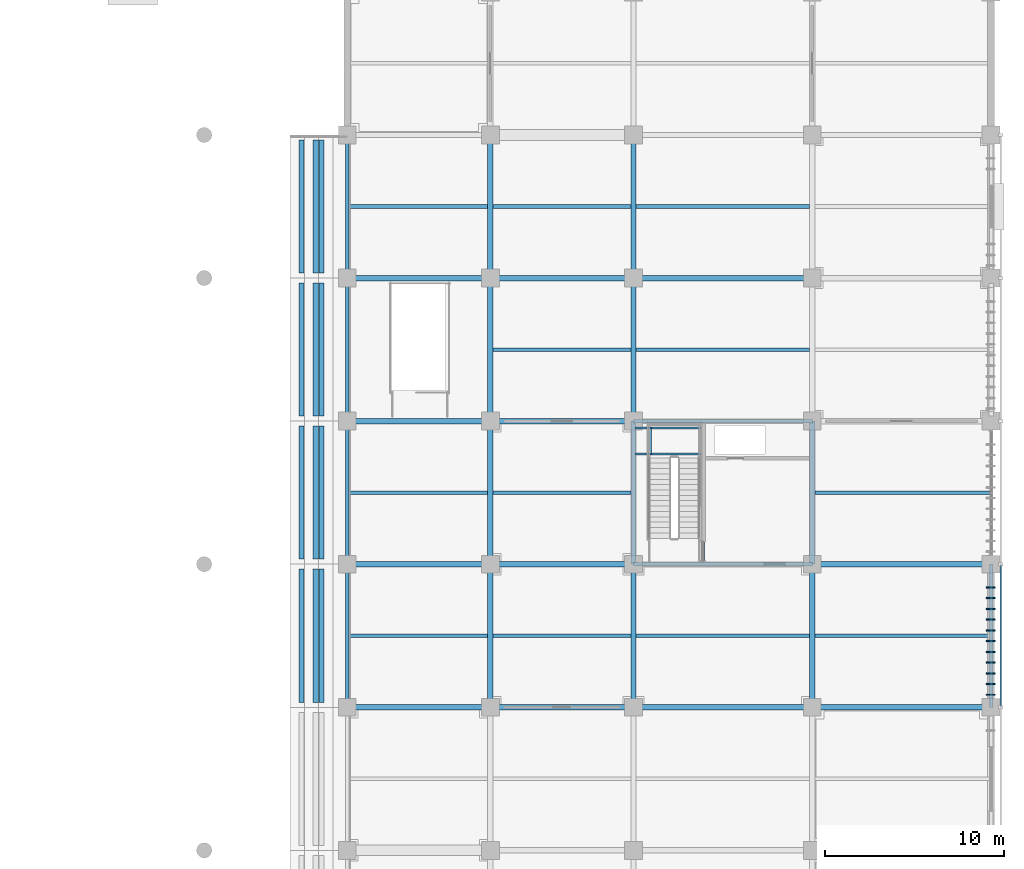
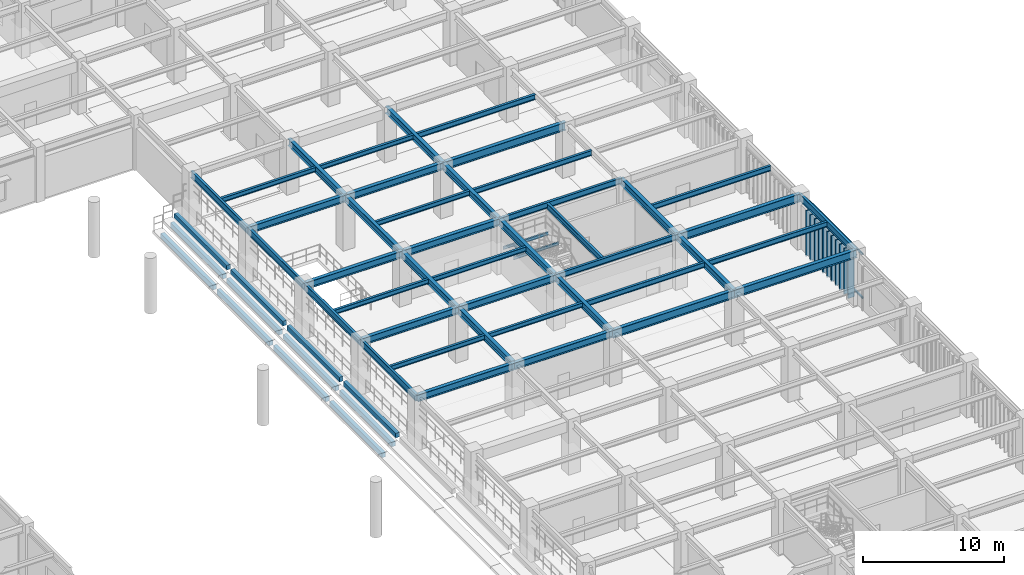
# One storey, part 39 of 117: 57 beams, 13 members.
"""IFC4 building model written with IfcOpenShell, lengths in metres."""

import ifcopenshell
import ifcopenshell.guid

model = None  # the IFC model being written
_history = None  # IfcOwnerHistory: only IFC2X3 demands one
_inside = {}  # id of a spatial element -> (the spatial element, [elements in it])
_under = {}  # id of a project, library or spatial element -> (it, [spatial elements below it])
_declared = {}  # id of a project -> (the project, [libraries it declares])
_typed = {}  # id of a type object -> (the type object, [elements of that type])
_made_of = {}  # id of a material, layer set ... -> (it, [elements and type objects made of it])


def new_model(schema):
    """Start an empty IFC model of exactly this schema.

    Asked for "IFC4X3", IfcOpenShell would pick the latest addendum, in which some entities
    have other attributes; the version numbers below select the first issue.
    IFC2X3 requires an IfcOwnerHistory on every rooted entity: one is made here for all.
    """
    global model, _history
    if schema == "IFC4X3":
        model = ifcopenshell.file(schema_version=(4, 3, 0, 0))
    else:
        model = ifcopenshell.file(schema=schema)
    _inside.clear()
    _under.clear()
    _declared.clear()
    _typed.clear()
    _made_of.clear()
    _history = None
    if model.schema == "IFC2X3":
        org = make("IfcOrganization", Name="unknown")
        user = make(
            "IfcPersonAndOrganization",
            ThePerson=make("IfcPerson", FamilyName="unknown"),
            TheOrganization=org,
        )
        app = make(
            "IfcApplication",
            ApplicationDeveloper=org,
            Version="unknown",
            ApplicationFullName="unknown",
            ApplicationIdentifier="unknown",
        )
        _history = make(
            "IfcOwnerHistory",
            OwningUser=user,
            OwningApplication=app,
            ChangeAction="ADDED",
            CreationDate=0,
        )
    return model


def make(cls, **values):
    """One entity of the class cls with the attributes given. An attribute that is None is left unset."""
    return model.create_entity(
        cls, **{name: value for name, value in values.items() if value is not None}
    )


def rooted(cls, **values):
    """An entity with a GlobalId (a new one), such as an element, a storey or a relation."""
    return make(cls, GlobalId=ifcopenshell.guid.new(), OwnerHistory=_history, **values)


def si_unit(unit_type, name, prefix=None):
    """IfcSIUnit, for example si_unit("LENGTHUNIT", "METRE", prefix="MILLI")."""
    return make("IfcSIUnit", UnitType=unit_type, Prefix=prefix, Name=name)


def assignment(units):
    """IfcUnitAssignment: the units of a project."""
    return None if units is None else make("IfcUnitAssignment", Units=units)


def point(xyz):
    """IfcCartesianPoint."""
    return None if xyz is None else make("IfcCartesianPoint", Coordinates=xyz)


def direction(xyz):
    """IfcDirection."""
    return None if xyz is None else make("IfcDirection", DirectionRatios=xyz)


def frame(location, z_axis=None, x_axis=None):
    """IfcAxis2Placement3D, a coordinate frame: its origin and axes. An axis left out is left unset."""
    return make(
        "IfcAxis2Placement3D",
        Location=point(location),
        Axis=direction(z_axis),
        RefDirection=direction(x_axis),
    )


def frame_2d(location, x_axis=None):
    """IfcAxis2Placement2D, a coordinate frame in the plane: its origin and x axis."""
    return make(
        "IfcAxis2Placement2D", Location=point(location), RefDirection=direction(x_axis)
    )


def origin():
    """The frame at (0, 0, 0) with its axes left unset."""
    return frame((0.0, 0.0, 0.0))


def origin_2d():
    """The frame at (0, 0) in the plane with its x axis left unset."""
    return frame_2d((0.0, 0.0))


def place(relative_to, where):
    """IfcLocalPlacement: puts the frame where relative to a parent placement (None: the world)."""
    return make(
        "IfcLocalPlacement", PlacementRelTo=relative_to, RelativePlacement=where
    )


def context(
    kind, dimensions, precision=None, world=None, true_north=None, identifier=None
):
    """IfcGeometricRepresentationContext, for example the 3D "Model" context."""
    return make(
        "IfcGeometricRepresentationContext",
        ContextIdentifier=identifier,
        ContextType=kind,
        CoordinateSpaceDimension=dimensions,
        Precision=precision,
        WorldCoordinateSystem=world,
        TrueNorth=true_north,
    )


def subcontext(parent, identifier, kind, view, scale=None):
    """IfcGeometricRepresentationSubContext, for example "Body" below "Model"."""
    return make(
        "IfcGeometricRepresentationSubContext",
        ContextIdentifier=identifier,
        ContextType=kind,
        ParentContext=parent,
        TargetScale=scale,
        TargetView=view,
    )


def project(units=None, contexts=None):
    """IfcProject with its units and contexts."""
    return rooted(
        "IfcProject",
        Name="project",
        RepresentationContexts=contexts,
        UnitsInContext=assignment(units),
    )


def spatial(cls, under=None, at=None, **own):
    """A site, building, storey or space (cls), placed at a placement, below another one or the project."""
    s = rooted(cls, ObjectPlacement=at, **own)
    if under is not None:
        _under.setdefault(under.id(), (under, []))[1].append(s)
    return s


def profile(cls, at=None, kind="AREA", **sizes):
    """A parametric profile (cls). Its sizes go by their IFC names, for example OverallWidth=200.0."""
    return make(cls, ProfileType=kind, Position=at, **sizes)


def rectangle(**sizes):
    """IfcRectangleProfileDef."""
    return profile("IfcRectangleProfileDef", **sizes)


def hollow_rectangle(**sizes):
    """IfcRectangleHollowProfileDef."""
    return profile("IfcRectangleHollowProfileDef", **sizes)


def i_section(**sizes):
    """IfcIShapeProfileDef."""
    return profile("IfcIShapeProfileDef", **sizes)


def extrude(swept, where, along, depth):
    """IfcExtrudedAreaSolid: the profile swept, set in the frame where, extruded along a direction by depth."""
    return make(
        "IfcExtrudedAreaSolid",
        SweptArea=swept,
        Position=where,
        ExtrudedDirection=direction(along),
        Depth=depth,
    )


def shape(context_of_items, identifier, shape_type, items):
    """IfcShapeRepresentation: the items that make up one representation, for example the "Body"."""
    return make(
        "IfcShapeRepresentation",
        ContextOfItems=context_of_items,
        RepresentationIdentifier=identifier,
        RepresentationType=shape_type,
        Items=items,
    )


def material(Name=None, Category=None):
    """IfcMaterial."""
    return make("IfcMaterial", Name=Name, Category=Category)


def material_profile(
    of_material, cross_section, Name=None, Category=None, Priority=None
):
    """IfcMaterialProfile: a cross section and its material."""
    return make(
        "IfcMaterialProfile",
        Name=Name,
        Material=of_material,
        Profile=cross_section,
        Priority=Priority,
        Category=Category,
    )


def profile_set(profiles, Name=None, composite=None):
    """IfcMaterialProfileSet."""
    return make(
        "IfcMaterialProfileSet",
        Name=Name,
        MaterialProfiles=profiles,
        CompositeProfile=composite,
    )


def made_of(thing, what):
    """Note that an element or type object is made of a material, layer set ...; save() writes the relation."""
    if what is not None:
        _made_of.setdefault(what.id(), (what, []))[1].append(thing)
    return thing


def type_object(cls, material=None, **own):
    """A type object (cls), such as IfcWallType, which elements share."""
    return made_of(rooted(cls, **own), material)


def element(
    cls,
    number,
    at=None,
    inside=None,
    cuts=None,
    type_object=None,
    material=None,
    context=None,
    identifier="Body",
    shape_type=None,
    held_by="IfcProductDefinitionShape",
    body=None,
    shapes=None,
    **own,
):
    """One element of the class cls, such as IfcWall. Its Tag is "e" and its number.

    at: its placement. inside: the storey or other place that contains it. cuts: it is an
    opening in that element (IfcRelVoidsElement). A single representation is given by context,
    identifier, shape_type and body (its items); several are given by shapes. held_by: the class
    of the entity that holds the representations. save() writes the other relations.
    """
    e = rooted(cls, Tag="e%d" % number, ObjectPlacement=at, **own)
    if body is not None:
        shapes = [shape(context, identifier, shape_type, body)]
    if shapes is not None:
        e.Representation = make(held_by, Representations=shapes)
    if inside is not None:
        _inside.setdefault(inside.id(), (inside, []))[1].append(e)
    if cuts is not None:
        rooted(
            "IfcRelVoidsElement", RelatingBuildingElement=cuts, RelatedOpeningElement=e
        )
    if type_object is not None:
        _typed.setdefault(type_object.id(), (type_object, []))[1].append(e)
    return made_of(e, material)


def aggregate(whole, parts):
    """IfcRelAggregates: a whole, such as a stair, and the parts it consists of."""
    return rooted("IfcRelAggregates", RelatingObject=whole, RelatedObjects=parts)


def save(model, path):
    """Write the relations noted so far, then the file.

    IfcRelAggregates (storeys below a building ...), IfcRelContainedInSpatialStructure (elements
    in a storey), IfcRelDefinesByType, IfcRelAssociatesMaterial and IfcRelDeclares: one each for
    every whole, place, type object, material and project.
    """
    for whole, parts in _under.values():
        aggregate(whole, parts)
    for where, things in _inside.values():
        rooted(
            "IfcRelContainedInSpatialStructure",
            RelatedElements=things,
            RelatingStructure=where,
        )
    for kind, things in _typed.values():
        rooted("IfcRelDefinesByType", RelatedObjects=things, RelatingType=kind)
    for what, things in _made_of.values():
        rooted("IfcRelAssociatesMaterial", RelatedObjects=things, RelatingMaterial=what)
    for by, libraries in _declared.values():
        rooted("IfcRelDeclares", RelatingContext=by, RelatedDefinitions=libraries)
    model.write(path)


model = new_model("IFC4")

# Units and contexts
model_context = context("Model", 3, precision=1e-05, world=origin(), true_north=direction((0.0, 1.0)))
body_context = subcontext(model_context, "Body", "Model", "MODEL_VIEW")
ifc_project = project(units=[si_unit("LENGTHUNIT", "METRE"), si_unit("AREAUNIT", "SQUARE_METRE"), si_unit("VOLUMEUNIT", "CUBIC_METRE"), si_unit("PLANEANGLEUNIT", "RADIAN"), si_unit("MASSUNIT", "GRAM", prefix="KILO")], contexts=[model_context])

# Site, building, storey
site_placement = place(None, origin())
site = spatial("IfcSite", under=ifc_project, at=site_placement, CompositionType="ELEMENT")
building_placement = place(site_placement, origin())
building = spatial("IfcBuilding", under=site, at=building_placement, Name="Haebicheon Civic Stadium", CompositionType="ELEMENT")
storey_placement = place(building_placement, frame((0.0, 0.0, 4.800048828125)))
storey = spatial("IfcBuildingStorey", under=building, at=storey_placement, Name="L02", CompositionType="ELEMENT", Elevation=4.800048828125)

# Beams
ifc_material_1 = material(Name="Precast concrete C40/50", Category="concrete")
ifc_material_profile_1 = material_profile(ifc_material_1, rectangle(XDim=0.300048828125, YDim=0.39990234375, at=origin_2d()), Name="PC-LN-300x400")
ifc_profile_set_1 = profile_set([ifc_material_profile_1], Name="Precast concrete C40/50")
beam_type_1 = type_object("IfcBeamType", Name="BM-LN-300x400", PredefinedType="LINTEL", material=ifc_profile_set_1)
for number, where, z_axis, x_axis, name in (
    (1, (197.43994140625, 96.280029296875, -0.0400390625), (0.0, 1.0, 0.0), (-1.0, 0.0, 0.0), "TIER-C-L precast step carrier beam 6.7"),
    (2, (198.239990234375, 96.280029296875, 0.626953125), (0.0, 1.0, 0.0), (-1.0, 0.0, 0.0), "TIER-C-L precast step carrier beam 6.8"),
    (3, (198.56005859375, 96.280029296875, 1.29296875), (0.0, 1.0, 0.0), (-1.0, 0.0, 0.0), "TIER-C-L precast step carrier beam 6.9"),
    (4, (197.43994140625, 104.280029296875, -0.0400390625), (0.0, 1.0, 0.0), (-1.0, 0.0, 0.0), "TIER-C-L precast step carrier beam 7.7"),
    (5, (198.239990234375, 104.280029296875, 0.626953125), (0.0, 1.0, 0.0), (-1.0, 0.0, 0.0), "TIER-C-L precast step carrier beam 7.8"),
    (6, (198.56005859375, 104.280029296875, 1.29296875), (0.0, 1.0, 0.0), (-1.0, 0.0, 0.0), "TIER-C-L precast step carrier beam 7.9"),
    (7, (197.43994140625, 112.280029296875, -0.0400390625), (0.0, 1.0, 0.0), (-1.0, 0.0, 0.0), "TIER-C-L precast step carrier beam 8.7"),
    (8, (198.239990234375, 112.280029296875, 0.626953125), (0.0, 1.0, 0.0), (-1.0, 0.0, 0.0), "TIER-C-L precast step carrier beam 8.8"),
    (9, (198.56005859375, 112.280029296875, 1.29296875), (0.0, 1.0, 0.0), (-1.0, 0.0, 0.0), "TIER-C-L precast step carrier beam 8.9"),
    (10, (197.43994140625, 120.280029296875, -0.0400390625), (0.0, 1.0, 0.0), (-1.0, 0.0, 0.0), "TIER-C-L precast step carrier beam 9.7"),
    (11, (198.239990234375, 120.280029296875, 0.626953125), (0.0, 1.0, 0.0), (-1.0, 0.0, 0.0), "TIER-C-L precast step carrier beam 9.8"),
    (12, (198.56005859375, 120.280029296875, 1.29296875), (0.0, 1.0, 0.0), (-1.0, 0.0, 0.0), "TIER-C-L precast step carrier beam 9.9"),
):
    element("IfcBeam", number, at=place(storey_placement, frame(where, z_axis=z_axis, x_axis=x_axis)), inside=storey, type_object=beam_type_1, material=ifc_profile_set_1, Name=name, PredefinedType="LINTEL", context=body_context, shape_type="SweptSolid", body=[
        extrude(rectangle(XDim=0.300048828125, YDim=0.39990234375, at=origin_2d()), origin(), (0.0, 0.0, 1.0), 7.43994140625),
    ])
ifc_material_2 = material(Name="Steel SM355 (S355)", Category="steel")
ifc_material_profile_2 = material_profile(ifc_material_2, i_section(OverallWidth=0.199951171875, OverallDepth=0.5, WebThickness=0.010009765625, FlangeThickness=0.01611328125, at=origin_2d()), Name="H-500x200x10x16")
ifc_profile_set_2 = profile_set([ifc_material_profile_2], Name="Steel SM355 (S355)")
beam_type_2 = type_object("IfcBeamType", Name="BM-ST-H500", PredefinedType="BEAM", material=ifc_profile_set_2)
for number, where, z_axis, x_axis, name in (
    (13, (216.0, 104.0, 4.27001953125), (1.0, 0.0, 0.0), (0.0, 1.0, 0.0), "L02 beam P/28-29"),
    (14, (216.0, 112.0, 4.27001953125), (1.0, 0.0, 0.0), (0.0, 1.0, 0.0), "L02 beam Q/28-29"),
):
    element("IfcBeam", number, at=place(storey_placement, frame(where, z_axis=z_axis, x_axis=x_axis)), inside=storey, type_object=beam_type_2, material=ifc_profile_set_2, Name=name, PredefinedType="BEAM", context=body_context, shape_type="SweptSolid", body=[
        extrude(i_section(OverallWidth=0.199951171875, OverallDepth=0.5, WebThickness=0.010009765625, FlangeThickness=0.01611328125, at=origin_2d()), origin(), (0.0, 0.0, 1.0), 10.0),
    ])
beam_1_placement = place(storey_placement, frame((219.8798828125, 104.10009765625, 4.27001953125), z_axis=(0.0, 1.0, 0.0), x_axis=(-1.0, 0.0, 0.0)))
element("IfcBeam", 15, at=beam_1_placement, inside=storey, type_object=beam_type_2, material=ifc_profile_set_2, Name="L02 KC-13 core dividing wall support beam", PredefinedType="BEAM", context=body_context, shape_type="SweptSolid", body=[
    extrude(i_section(OverallWidth=0.199951171875, OverallDepth=0.5, WebThickness=0.010009765625, FlangeThickness=0.01611328125, at=origin_2d()), origin(), (0.0, 0.0, 1.0), 7.7998046875),
])
ifc_material_3 = material(Name="Steel SM355 (S355)", Category="steel")
ifc_material_profile_3 = material_profile(ifc_material_3, i_section(OverallWidth=0.300048828125, OverallDepth=0.60009765625, WebThickness=0.011962890625, FlangeThickness=0.02001953125, at=origin_2d()), Name="H-600x300x12x20")
ifc_profile_set_3 = profile_set([ifc_material_profile_3], Name="Steel SM355 (S355)")
beam_type_3 = type_object("IfcBeamType", Name="BM-ST-H600A", PredefinedType="BEAM", material=ifc_profile_set_3)
for number, where, z_axis, x_axis, name in (
    (16, (208.0, 96.0, 4.219970703125), (0.0, 1.0, 0.0), (-1.0, 0.0, 0.0), "L02 girder 27/N-P"),
    (17, (208.0, 104.0, 4.219970703125), (0.0, 1.0, 0.0), (-1.0, 0.0, 0.0), "L02 girder 27/P-Q"),
    (18, (208.0, 112.0, 4.219970703125), (0.0, 1.0, 0.0), (-1.0, 0.0, 0.0), "L02 girder 27/Q-R"),
    (19, (208.0, 120.0, 4.219970703125), (0.0, 1.0, 0.0), (-1.0, 0.0, 0.0), "L02 girder 27/R-S"),
    (20, (216.0, 96.0, 4.219970703125), (0.0, 1.0, 0.0), (-1.0, 0.0, 0.0), "L02 girder 28/N-P"),
    (21, (216.0, 104.0, 4.219970703125), (0.0, 1.0, 0.0), (-1.0, 0.0, 0.0), "L02 girder 28/P-Q"),
    (22, (216.0, 112.0, 4.219970703125), (0.0, 1.0, 0.0), (-1.0, 0.0, 0.0), "L02 girder 28/Q-R"),
    (23, (216.0, 120.0, 4.219970703125), (0.0, 1.0, 0.0), (-1.0, 0.0, 0.0), "L02 girder 28/R-S"),
    (24, (226.0, 96.0, 4.219970703125), (0.0, 1.0, 0.0), (-1.0, 0.0, 0.0), "L02 girder 29/N-P"),
    (25, (226.0, 104.0, 4.219970703125), (0.0, 1.0, 0.0), (-1.0, 0.0, 0.0), "L02 girder 29/P-Q"),
    (26, (200.0, 96.0, 4.219970703125), (1.0, 0.0, 0.0), (0.0, 1.0, 0.0), "L02 beam N/26-27"),
    (27, (200.0, 104.0, 4.219970703125), (1.0, 0.0, 0.0), (0.0, 1.0, 0.0), "L02 beam P/26-27"),
    (28, (200.0, 112.0, 4.219970703125), (1.0, 0.0, 0.0), (0.0, 1.0, 0.0), "L02 beam Q/26-27"),
    (29, (200.0, 120.0, 4.219970703125), (1.0, 0.0, 0.0), (0.0, 1.0, 0.0), "L02 beam R/26-27"),
    (30, (208.0, 96.0, 4.219970703125), (1.0, 0.0, 0.0), (0.0, 1.0, 0.0), "L02 beam N/27-28"),
    (31, (208.0, 104.0, 4.219970703125), (1.0, 0.0, 0.0), (0.0, 1.0, 0.0), "L02 beam P/27-28"),
    (32, (208.0, 112.0, 4.219970703125), (1.0, 0.0, 0.0), (0.0, 1.0, 0.0), "L02 beam Q/27-28"),
    (33, (208.0, 120.0, 4.219970703125), (1.0, 0.0, 0.0), (0.0, 1.0, 0.0), "L02 beam R/27-28"),
):
    element("IfcBeam", number, at=place(storey_placement, frame(where, z_axis=z_axis, x_axis=x_axis)), inside=storey, type_object=beam_type_3, material=ifc_profile_set_3, Name=name, PredefinedType="BEAM", context=body_context, shape_type="SweptSolid", body=[
        extrude(i_section(OverallWidth=0.300048828125, OverallDepth=0.60009765625, WebThickness=0.011962890625, FlangeThickness=0.02001953125, at=origin_2d()), origin(), (0.0, 0.0, 1.0), 8.0),
    ])
ifc_material_4 = material(Name="Steel SM490", Category="steel")
ifc_material_profile_4 = material_profile(ifc_material_4, i_section(OverallWidth=0.300048828125, OverallDepth=0.699951171875, WebThickness=0.012939453125, FlangeThickness=0.02392578125, at=origin_2d()), Name="H-700x300x13x24")
ifc_profile_set_4 = profile_set([ifc_material_profile_4], Name="Steel SM490")
beam_type_4 = type_object("IfcBeamType", Name="BM-ST-H700", PredefinedType="BEAM", material=ifc_profile_set_4)
for number, where, z_axis, x_axis, name in (
    (34, (216.0, 96.0, 4.169921875), (1.0, 0.0, 0.0), (0.0, 1.0, 0.0), "L02 beam N/28-29"),
    (35, (216.0, 120.0, 4.169921875), (1.0, 0.0, 0.0), (0.0, 1.0, 0.0), "L02 beam R/28-29"),
    (36, (226.0, 96.0, 4.169921875), (1.0, 0.0, 0.0), (0.0, 1.0, 0.0), "L02 beam N/29-30"),
    (37, (226.0, 104.0, 4.169921875), (1.0, 0.0, 0.0), (0.0, 1.0, 0.0), "L02 beam P/29-30"),
):
    element("IfcBeam", number, at=place(storey_placement, frame(where, z_axis=z_axis, x_axis=x_axis)), inside=storey, type_object=beam_type_4, material=ifc_profile_set_4, Name=name, PredefinedType="BEAM", context=body_context, shape_type="SweptSolid", body=[
        extrude(i_section(OverallWidth=0.300048828125, OverallDepth=0.699951171875, WebThickness=0.012939453125, FlangeThickness=0.02392578125, at=origin_2d()), origin(), (0.0, 0.0, 1.0), 10.0),
    ])
ifc_material_5 = material(Name="Steel SM355 (S355)", Category="steel")
ifc_material_profile_5 = material_profile(ifc_material_5, i_section(OverallWidth=0.125, OverallDepth=0.25, WebThickness=0.006103515625, FlangeThickness=0.009033203125, at=origin_2d()), Name="H-250x125x6x9")
ifc_profile_set_5 = profile_set([ifc_material_profile_5], Name="Steel SM355 (S355)")
beam_type_5 = type_object("IfcBeamType", Name="JST-ST-H250", PredefinedType="JOIST", material=ifc_profile_set_5)
for number, where, z_axis, x_axis, name in (
    (38, (216.080078125, 110.169921875, 2.072021484375), (1.0, 0.0, 0.0), (0.0, 1.0, 0.0), "KC-13 L02 stair half-landing front trimmer beam"),
    (39, (216.080078125, 111.6201171875, 2.072021484375), (1.0, 0.0, 0.0), (0.0, 1.0, 0.0), "KC-13 L02 stair half-landing rear trimmer beam"),
):
    element("IfcBeam", number, at=place(storey_placement, frame(where, z_axis=z_axis, x_axis=x_axis)), inside=storey, type_object=beam_type_5, material=ifc_profile_set_5, Name=name, PredefinedType="JOIST", context=body_context, shape_type="SweptSolid", body=[
        extrude(i_section(OverallWidth=0.125, OverallDepth=0.25, WebThickness=0.006103515625, FlangeThickness=0.009033203125, at=origin_2d()), origin(), (0.0, 0.0, 1.0), 3.719970703125),
    ])
beam_2_placement = place(storey_placement, frame((216.9599609375, 110.169921875, 2.072021484375), z_axis=(0.0, 1.0, 0.0), x_axis=(-1.0, 0.0, 0.0)))
element("IfcBeam", 40, at=beam_2_placement, inside=storey, type_object=beam_type_5, material=ifc_profile_set_5, Name="KC-13 L02 stair half-landing transverse tie beam", PredefinedType="JOIST", context=body_context, shape_type="SweptSolid", body=[
    extrude(i_section(OverallWidth=0.125, OverallDepth=0.25, WebThickness=0.006103515625, FlangeThickness=0.009033203125, at=origin_2d()), origin(), (0.0, 0.0, 1.0), 1.4501953125),
])
ifc_material_6 = material(Name="Steel SM355 (S355)", Category="steel")
ifc_material_profile_6 = material_profile(ifc_material_6, i_section(OverallWidth=0.199951171875, OverallDepth=0.39990234375, WebThickness=0.008056640625, FlangeThickness=0.012939453125, at=origin_2d()), Name="H-400x200x8x13")
ifc_profile_set_6 = profile_set([ifc_material_profile_6], Name="Steel SM355 (S355)")
beam_type_6 = type_object("IfcBeamType", Name="JST-ST-H400", PredefinedType="JOIST", material=ifc_profile_set_6)
for number, where, z_axis, x_axis, name in (
    (41, (200.10009765625, 100.0, 4.320068359375), (1.0, 0.0, 0.0), (0.0, 1.0, 0.0), "L02 secondary joist 25-12"),
    (42, (200.10009765625, 108.0, 4.320068359375), (1.0, 0.0, 0.0), (0.0, 1.0, 0.0), "L02 secondary joist 25-13"),
    (43, (200.10009765625, 124.0, 4.320068359375), (1.0, 0.0, 0.0), (0.0, 1.0, 0.0), "L02 secondary joist 25-15"),
):
    element("IfcBeam", number, at=place(storey_placement, frame(where, z_axis=z_axis, x_axis=x_axis)), inside=storey, type_object=beam_type_6, material=ifc_profile_set_6, Name=name, PredefinedType="JOIST", context=body_context, shape_type="SweptSolid", body=[
        extrude(i_section(OverallWidth=0.199951171875, OverallDepth=0.39990234375, WebThickness=0.008056640625, FlangeThickness=0.012939453125, at=origin_2d()), origin(), (0.0, 0.0, 1.0), 7.75),
    ])
for number, where, z_axis, x_axis, name in (
    (44, (208.14990234375, 100.0, 4.320068359375), (1.0, 0.0, 0.0), (0.0, 1.0, 0.0), "L02 secondary joist 26-12"),
    (45, (208.14990234375, 108.0, 4.320068359375), (1.0, 0.0, 0.0), (0.0, 1.0, 0.0), "L02 secondary joist 26-13"),
    (46, (208.14990234375, 116.0, 4.320068359375), (1.0, 0.0, 0.0), (0.0, 1.0, 0.0), "L02 secondary joist 26-14"),
    (47, (208.14990234375, 124.0, 4.320068359375), (1.0, 0.0, 0.0), (0.0, 1.0, 0.0), "L02 secondary joist 26-15"),
):
    element("IfcBeam", number, at=place(storey_placement, frame(where, z_axis=z_axis, x_axis=x_axis)), inside=storey, type_object=beam_type_6, material=ifc_profile_set_6, Name=name, PredefinedType="JOIST", context=body_context, shape_type="SweptSolid", body=[
        extrude(i_section(OverallWidth=0.199951171875, OverallDepth=0.39990234375, WebThickness=0.008056640625, FlangeThickness=0.012939453125, at=origin_2d()), origin(), (0.0, 0.0, 1.0), 7.7001953125),
    ])
ifc_material_7 = material(Name="Steel SM355 (S355)", Category="steel")
ifc_material_profile_7 = material_profile(ifc_material_7, i_section(OverallWidth=0.199951171875, OverallDepth=0.449951171875, WebThickness=0.009033203125, FlangeThickness=0.013916015625, at=origin_2d()), Name="H-450x200x9x14")
ifc_profile_set_7 = profile_set([ifc_material_profile_7], Name="Steel SM355 (S355)")
beam_type_7 = type_object("IfcBeamType", Name="JST-ST-H450", PredefinedType="JOIST", material=ifc_profile_set_7)
for number, where, z_axis, x_axis, name in (
    (48, (216.14990234375, 100.0, 4.294921875), (1.0, 0.0, 0.0), (0.0, 1.0, 0.0), "L02 secondary joist 27-12"),
    (49, (216.14990234375, 116.0, 4.294921875), (1.0, 0.0, 0.0), (0.0, 1.0, 0.0), "L02 secondary joist 27-14"),
    (50, (216.14990234375, 124.0, 4.294921875), (1.0, 0.0, 0.0), (0.0, 1.0, 0.0), "L02 secondary joist 27-15"),
):
    element("IfcBeam", number, at=place(storey_placement, frame(where, z_axis=z_axis, x_axis=x_axis)), inside=storey, type_object=beam_type_7, material=ifc_profile_set_7, Name=name, PredefinedType="JOIST", context=body_context, shape_type="SweptSolid", body=[
        extrude(i_section(OverallWidth=0.199951171875, OverallDepth=0.449951171875, WebThickness=0.009033203125, FlangeThickness=0.013916015625, at=origin_2d()), origin(), (0.0, 0.0, 1.0), 9.7001953125),
    ])
for number, where, z_axis, x_axis, name in (
    (51, (226.14990234375, 100.0, 4.294921875), (1.0, 0.0, 0.0), (0.0, 1.0, 0.0), "L02 secondary joist 28-12"),
    (52, (226.14990234375, 108.0, 4.294921875), (1.0, 0.0, 0.0), (0.0, 1.0, 0.0), "L02 secondary joist 28-13"),
):
    element("IfcBeam", number, at=place(storey_placement, frame(where, z_axis=z_axis, x_axis=x_axis)), inside=storey, type_object=beam_type_7, material=ifc_profile_set_7, Name=name, PredefinedType="JOIST", context=body_context, shape_type="SweptSolid", body=[
        extrude(i_section(OverallWidth=0.199951171875, OverallDepth=0.449951171875, WebThickness=0.009033203125, FlangeThickness=0.013916015625, at=origin_2d()), origin(), (0.0, 0.0, 1.0), 9.75),
    ])

# Members
ifc_material_8 = material(Name="Acetylated timber GL28h", Category="wood")
ifc_material_profile_8 = material_profile(ifc_material_8, rectangle(XDim=0.080078125, YDim=0.52001953125, at=origin_2d()), Name="TMB-LOUV-80x520")
ifc_profile_set_8 = profile_set([ifc_material_profile_8], Name="Acetylated timber GL28h")
member_type_1 = type_object("IfcMemberType", Name="LVR-TIM-520x80", PredefinedType="PLATE", material=ifc_profile_set_8)
for number, where, z_axis, x_axis, name in (
    (53, (235.97998046875, 96.699951171875, -0.1201171875), (0.0, 0.0, 1.0), (0.0, 1.0, 0.0), "SCR-COMM L02 acetylated timber storm louvre fin 7.1"),
    (54, (235.97998046875, 97.300048828125, -0.1201171875), (0.0, 0.0, 1.0), (0.0, 1.0, 0.0), "SCR-COMM L02 acetylated timber storm louvre fin 7.2"),
    (55, (235.97998046875, 97.89990234375, -0.1201171875), (0.0, 0.0, 1.0), (0.0, 1.0, 0.0), "SCR-COMM L02 acetylated timber storm louvre fin 7.3"),
    (56, (235.97998046875, 98.5, -0.1201171875), (0.0, 0.0, 1.0), (0.0, 1.0, 0.0), "SCR-COMM L02 acetylated timber storm louvre fin 7.4"),
    (57, (235.97998046875, 99.10009765625, -0.1201171875), (0.0, 0.0, 1.0), (0.0, 1.0, 0.0), "SCR-COMM L02 acetylated timber storm louvre fin 7.5"),
    (58, (235.97998046875, 99.699951171875, -0.1201171875), (0.0, 0.0, 1.0), (0.0, 1.0, 0.0), "SCR-COMM L02 acetylated timber storm louvre fin 7.6"),
    (59, (235.97998046875, 100.300048828125, -0.1201171875), (0.0, 0.0, 1.0), (0.0, 1.0, 0.0), "SCR-COMM L02 acetylated timber storm louvre fin 7.7"),
    (60, (235.97998046875, 100.89990234375, -0.1201171875), (0.0, 0.0, 1.0), (0.0, 1.0, 0.0), "SCR-COMM L02 acetylated timber storm louvre fin 7.8"),
    (61, (235.97998046875, 101.5, -0.1201171875), (0.0, 0.0, 1.0), (0.0, 1.0, 0.0), "SCR-COMM L02 acetylated timber storm louvre fin 7.9"),
    (62, (235.97998046875, 102.10009765625, -0.1201171875), (0.0, 0.0, 1.0), (0.0, 1.0, 0.0), "SCR-COMM L02 acetylated timber storm louvre fin 7.10"),
    (63, (235.97998046875, 102.699951171875, -0.1201171875), (0.0, 0.0, 1.0), (0.0, 1.0, 0.0), "SCR-COMM L02 acetylated timber storm louvre fin 7.11"),
):
    element("IfcMember", number, at=place(storey_placement, frame(where, z_axis=z_axis, x_axis=x_axis)), inside=storey, type_object=member_type_1, material=ifc_profile_set_8, Name=name, PredefinedType="PLATE", context=body_context, shape_type="SweptSolid", body=[
        extrude(rectangle(XDim=0.080078125, YDim=0.52001953125, at=origin_2d()), origin(), (0.0, 0.0, 1.0), 3.969970703125),
    ])

# Beams
ifc_material_9 = material(Name="Steel SM355 (S355)", Category="steel")
ifc_material_profile_9 = material_profile(ifc_material_9, i_section(OverallWidth=0.199951171875, OverallDepth=0.60009765625, WebThickness=0.010986328125, FlangeThickness=0.01708984375, at=origin_2d()), Name="H-600x200x11x17")
ifc_profile_set_9 = profile_set([ifc_material_profile_9], Name="Steel SM355 (S355)")
beam_type_8 = type_object("IfcBeamType", Name="SPD-ST-H600B", PredefinedType="SPANDREL", material=ifc_profile_set_9)
for number, where, z_axis, x_axis, name in (
    (64, (200.0, 96.0, 4.219970703125), (0.0, 1.0, 0.0), (-1.0, 0.0, 0.0), "L02 girder 26/N-P"),
    (65, (200.0, 104.0, 4.219970703125), (0.0, 1.0, 0.0), (-1.0, 0.0, 0.0), "L02 girder 26/P-Q"),
    (66, (200.0, 112.0, 4.219970703125), (0.0, 1.0, 0.0), (-1.0, 0.0, 0.0), "L02 girder 26/Q-R"),
    (67, (200.0, 120.0, 4.219970703125), (0.0, 1.0, 0.0), (-1.0, 0.0, 0.0), "L02 girder 26/R-S"),
    (68, (236.0, 96.0, 4.219970703125), (0.0, 1.0, 0.0), (-1.0, 0.0, 0.0), "L02 girder 30/N-P"),
):
    element("IfcBeam", number, at=place(storey_placement, frame(where, z_axis=z_axis, x_axis=x_axis)), inside=storey, type_object=beam_type_8, material=ifc_profile_set_9, Name=name, PredefinedType="SPANDREL", context=body_context, shape_type="SweptSolid", body=[
        extrude(i_section(OverallWidth=0.199951171875, OverallDepth=0.60009765625, WebThickness=0.010986328125, FlangeThickness=0.01708984375, at=origin_2d()), origin(), (0.0, 0.0, 1.0), 8.0),
    ])

# Members
ifc_material_10 = material(Name="Steel SM355 (S355)", Category="steel")
ifc_material_profile_10 = material_profile(ifc_material_10, hollow_rectangle(XDim=0.10009765625, YDim=0.14990234375, WallThickness=0.006103515625, at=origin_2d()), Name="RHS-150x100x6.0")
ifc_profile_set_10 = profile_set([ifc_material_profile_10], Name="Steel SM355 (S355)")
member_type_2 = type_object("IfcMemberType", Name="SUB-RHS150", PredefinedType="STRINGER", material=ifc_profile_set_10)
for number, where, z_axis, x_axis, name in (
    (69, (236.5400390625, 96.0, 0.06005859375), (0.0, 1.0, 0.0), (-1.0, 0.0, 0.0), "SCR-COMM L02 storm-louvre bottom carrier rail 7"),
    (70, (236.5400390625, 96.0, 3.849853515625), (0.0, 1.0, 0.0), (-1.0, 0.0, 0.0), "SCR-COMM L02 storm-louvre top carrier rail 7"),
):
    element("IfcMember", number, at=place(storey_placement, frame(where, z_axis=z_axis, x_axis=x_axis)), inside=storey, type_object=member_type_2, material=ifc_profile_set_10, Name=name, PredefinedType="STRINGER", context=body_context, shape_type="SweptSolid", body=[
        extrude(hollow_rectangle(XDim=0.10009765625, YDim=0.14990234375, WallThickness=0.006103515625, at=origin_2d()), origin(), (0.0, 0.0, 1.0), 8.0),
    ])

save(model, "model.ifc")
